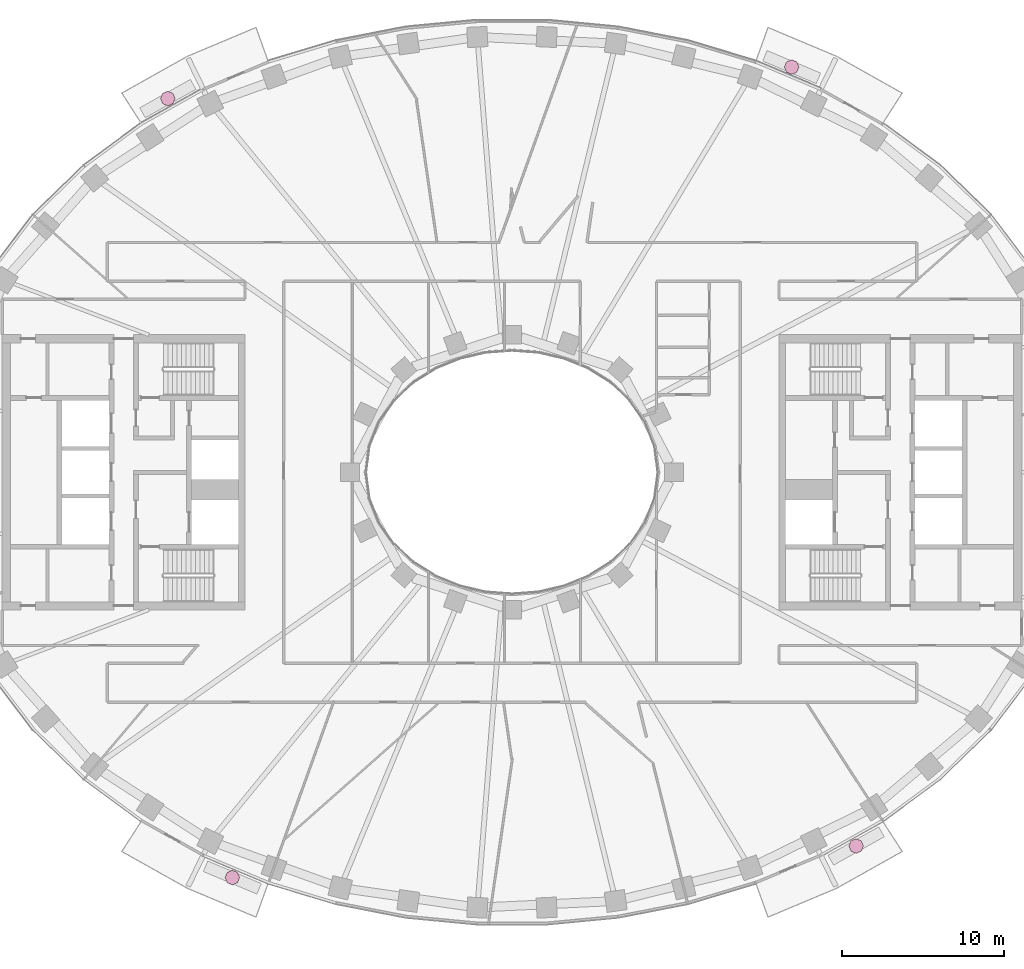
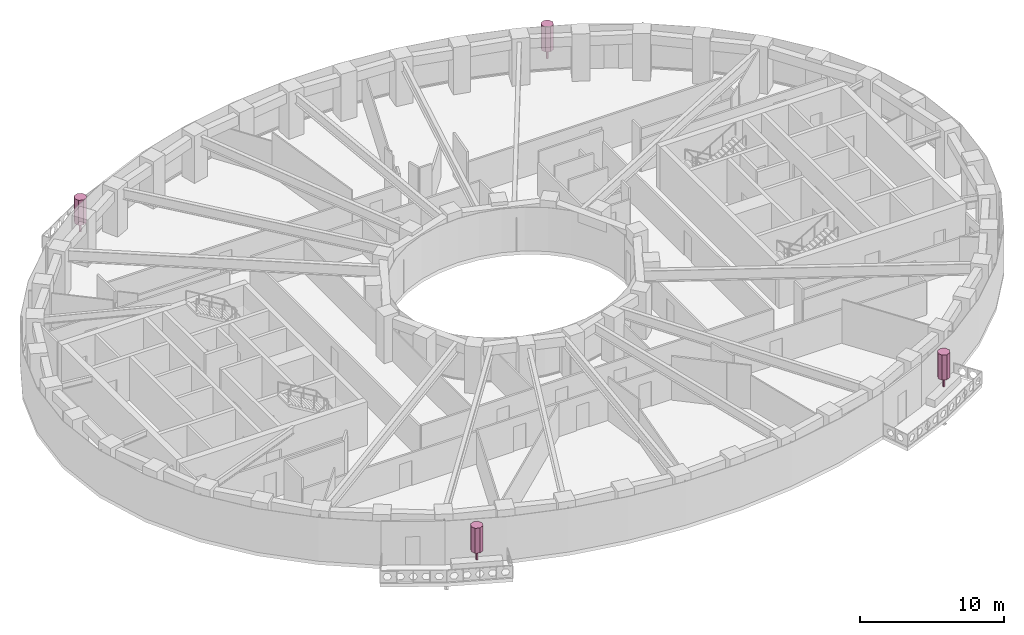
# One storey, part 15 of 15: 4 furnishings.
"""IFC4 building model written with IfcOpenShell, lengths in metres."""

from ifc_helpers import new_model, si_unit, direction, frame, origin, origin_2d, place, context, subcontext, project, spatial, polyline, rectangle, outline, extrude, material, type_object, element, save


model = new_model("IFC4")

# Units and contexts
model_context = context("Model", 3, precision=1e-05, world=origin(), true_north=direction((0.0, 1.0)))
body_context = subcontext(model_context, "Body", "Model", "MODEL_VIEW")
ifc_project = project(units=[si_unit("LENGTHUNIT", "METRE"), si_unit("AREAUNIT", "SQUARE_METRE"), si_unit("VOLUMEUNIT", "CUBIC_METRE"), si_unit("PLANEANGLEUNIT", "RADIAN"), si_unit("MASSUNIT", "GRAM", prefix="KILO")], contexts=[model_context])

# Site, building, storey
site_placement = place(None, origin())
site = spatial("IfcSite", under=ifc_project, at=site_placement, CompositionType="ELEMENT")
building_placement = place(site_placement, origin())
building = spatial("IfcBuilding", under=site, at=building_placement, Name="Noorbagh Ring Tower", CompositionType="ELEMENT")
storey_placement = place(building_placement, frame((0.0, 0.0, 128.0)))
storey = spatial("IfcBuildingStorey", under=building, at=storey_placement, Name="L29", CompositionType="ELEMENT", Elevation=128.0)

# Furnishings
ifc_material = material(Name="Planting foliage green")
furnishing_element_type = type_object("IfcFurnishingElementType", Name="ENV-TREE", material=ifc_material)
for number, where, z_axis, x_axis, name in (
    (1, (17.280517578125, 25.041259765625, 0.60009765625), (0.0, 0.0, 1.0), (1.0, 0.0, 0.0), "Tree BN02"),
    (2, (-21.26513671875, 23.093017578125, 0.60009765625), (0.0, 0.0, 1.0), (1.0, 0.0, 0.0), "Tree BN05"),
    (3, (-17.280517578125, -25.041259765625, 0.60009765625), (0.0, 0.0, 1.0), (1.0, 0.0, 0.0), "Tree BS02"),
    (4, (21.26513671875, -23.093017578125, 0.60009765625), (0.0, 0.0, 1.0), (1.0, 0.0, 0.0), "Tree BS05"),
):
    element("IfcFurnishingElement", number, at=place(storey_placement, frame(where, z_axis=z_axis, x_axis=x_axis)), inside=storey, type_object=furnishing_element_type, Name=name, context=body_context, shape_type="SweptSolid", body=[
        extrude(rectangle(XDim=0.1201171875, YDim=0.1201171875, at=origin_2d()), origin(), (0.0, 0.0, 1.0), 0.825927734375),
        extrude(outline(polyline([(0.449951171875, 0.0), (0.318115234375, 0.318115234375), (0.0, 0.449951171875), (-0.318115234375, 0.318115234375), (-0.449951171875, 0.0), (-0.318115234375, -0.318115234375), (0.0, -0.449951171875), (0.318115234375, -0.318115234375), (0.449951171875, 0.0)])), frame((0.0, 0.0, 0.825927734375)), (0.0, 0.0, 1.0), 2.1240234375),
    ])

save(model, "model.ifc")
